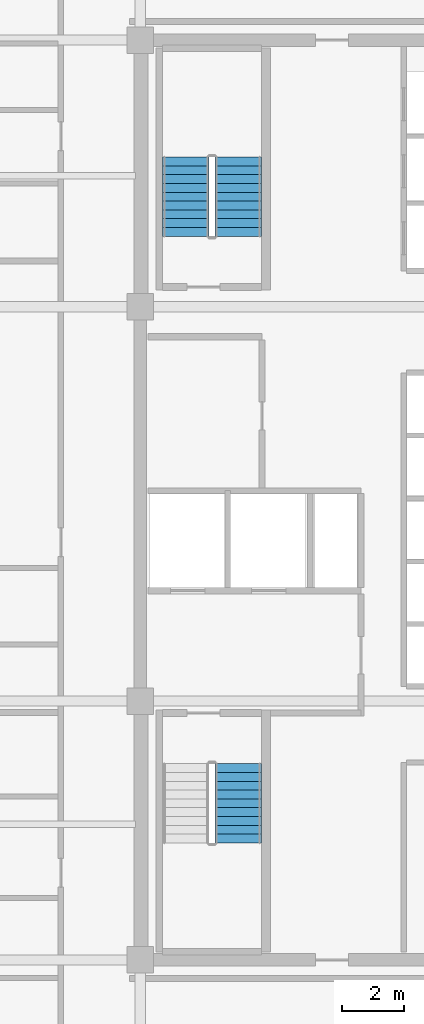
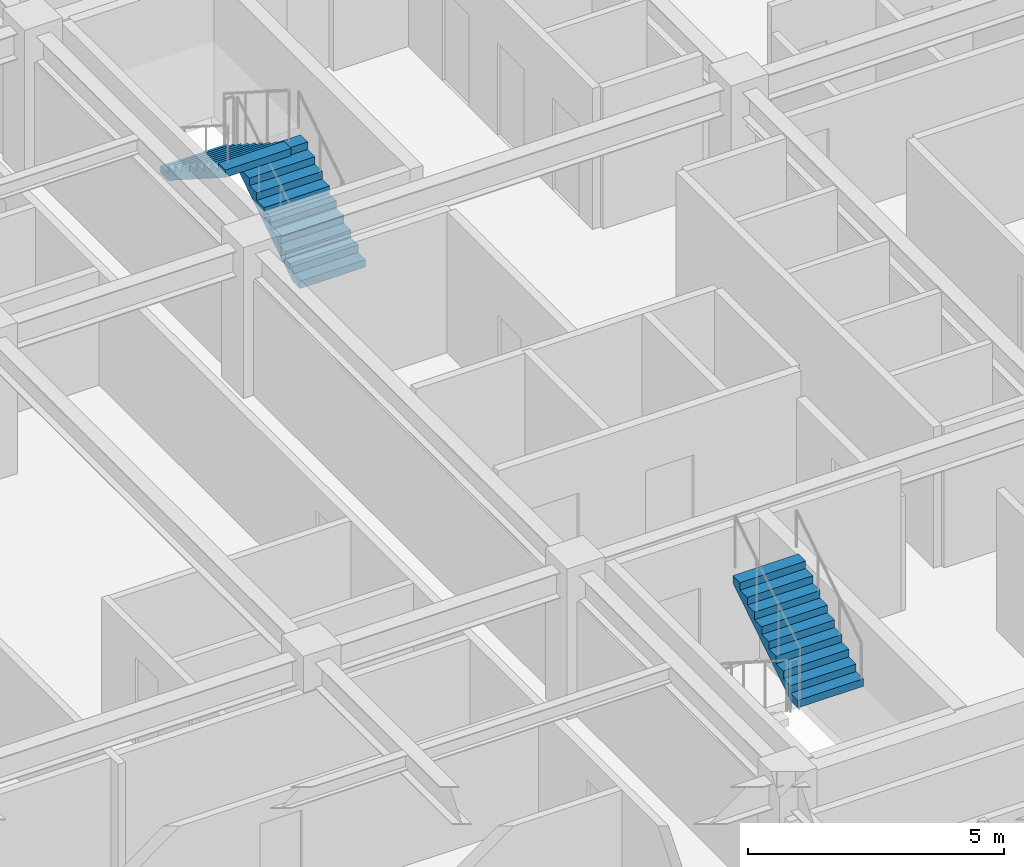
# One storey, part 8 of 9: 3 stair flights, 2 elements without a shape of their own.
"""IFC4 building model written with IfcOpenShell, lengths in metres."""

from ifc_helpers import new_model, si_unit, direction, frame, origin, place, context, subcontext, project, spatial, polyline, outline, extrude, material, type_object, element, aggregate, save


model = new_model("IFC4")

# Units and contexts
model_context = context("Model", 3, precision=1e-05, world=origin(), true_north=direction((0.0, 1.0)))
body_context = subcontext(model_context, "Body", "Model", "MODEL_VIEW")
ifc_project = project(units=[si_unit("LENGTHUNIT", "METRE"), si_unit("AREAUNIT", "SQUARE_METRE"), si_unit("VOLUMEUNIT", "CUBIC_METRE"), si_unit("PLANEANGLEUNIT", "RADIAN"), si_unit("MASSUNIT", "GRAM", prefix="KILO")], contexts=[model_context])

# Site, building, storey
site_placement = place(None, origin())
site = spatial("IfcSite", under=ifc_project, at=site_placement, CompositionType="ELEMENT")
building_placement = place(site_placement, origin())
building = spatial("IfcBuilding", under=site, at=building_placement, Name="Ochreholt Gables", CompositionType="ELEMENT")
storey_placement = place(building_placement, frame((0.0, 0.0, 106.199951171875)))
storey = spatial("IfcBuildingStorey", under=building, at=storey_placement, Name="L27", CompositionType="ELEMENT", Elevation=106.199951171875)

# Stair, stair flight
ifc_material = material(Name="Concrete 40 MPa", Category="concrete")
stair_type_1 = type_object("IfcStairType", Name="STAIR-CORE-ST-1", PredefinedType="HALF_TURN_STAIR", material=ifc_material)
stair_1_placement = place(storey_placement, origin())
stair_1 = element("IfcStair", 1, at=stair_1_placement, inside=storey, type_object=stair_type_1, Name="L27 Core Exit Stair 1", PredefinedType="HALF_TURN_STAIR")
stair_flight_type = type_object("IfcStairFlightType", Name="FLIGHT-ST-1480-1800", PredefinedType="STRAIGHT", material=ifc_material)
stair_flight_1_placement = place(storey_placement, frame((27.340087890625, 13.001953125, 1.800048828125), z_axis=(0.0, 0.0, 1.0), x_axis=(0.0, 1.0, 0.0)))
stair_flight_1 = element("IfcStairFlight", 2, at=stair_flight_1_placement, type_object=stair_flight_type, Name="ST-1 flight 2", NumberOfRisers=10, NumberOfTreads=9, PredefinedType="STRAIGHT", RiserHeight=0.18, TreadLength=0.282, context=body_context, shape_type="SweptSolid", body=[
    extrude(outline(polyline([(0.0, 0.0), (0.0, 0.179931640625), (0.281982421875, 0.179931640625), (0.281982421875, 0.360107421875), (0.56396484375, 0.360107421875), (0.56396484375, 0.5400390625), (0.845947265625, 0.5400390625), (0.845947265625, 0.719970703125), (1.1279296875, 0.719970703125), (1.1279296875, 0.89990234375), (1.409912109375, 0.89990234375), (1.409912109375, 1.080078125), (1.69189453125, 1.080078125), (1.69189453125, 1.260009765625), (1.97412109375, 1.260009765625), (1.97412109375, 1.43994140625), (2.256103515625, 1.43994140625), (2.256103515625, 1.6201171875), (2.5380859375, 1.6201171875), (2.5380859375, 1.800048828125), (2.5380859375, 1.442138671875), (0.278564453125, 0.0), (0.0, 0.0)])), frame((0.0, 0.739990234375, 0.0), z_axis=(0.0, -1.0, 0.0), x_axis=(1.0, 0.0, 0.0)), (0.0, 0.0, 1.0), 1.47998046875),
])
aggregate(stair_1, [stair_flight_1])

# Stair, stair flights
stair_type_2 = type_object("IfcStairType", Name="STAIR-CORE-ST-2", PredefinedType="HALF_TURN_STAIR", material=ifc_material)
stair_2_placement = place(storey_placement, origin())
stair_2 = element("IfcStair", 3, at=stair_2_placement, inside=storey, type_object=stair_type_2, Name="L27 Core Exit Stair 2", PredefinedType="HALF_TURN_STAIR")
stair_flight_2_placement = place(storey_placement, frame((27.340087890625, 32.4599609375, 0.0), z_axis=(0.0, 0.0, 1.0), x_axis=(0.0, 1.0, 0.0)))
stair_flight_2 = element("IfcStairFlight", 4, at=stair_flight_2_placement, type_object=stair_flight_type, Name="ST-2 flight 1", NumberOfRisers=10, NumberOfTreads=9, PredefinedType="STRAIGHT", RiserHeight=0.18, TreadLength=0.282, context=body_context, shape_type="SweptSolid", body=[
    extrude(outline(polyline([(0.0, 0.0), (0.0, 0.179931640625), (0.281982421875, 0.179931640625), (0.281982421875, 0.360107421875), (0.56396484375, 0.360107421875), (0.56396484375, 0.5400390625), (0.845947265625, 0.5400390625), (0.845947265625, 0.719970703125), (1.1279296875, 0.719970703125), (1.1279296875, 0.89990234375), (1.409912109375, 0.89990234375), (1.409912109375, 1.080078125), (1.69189453125, 1.080078125), (1.69189453125, 1.260009765625), (1.97412109375, 1.260009765625), (1.97412109375, 1.43994140625), (2.256103515625, 1.43994140625), (2.256103515625, 1.6201171875), (2.5380859375, 1.6201171875), (2.5380859375, 1.800048828125), (2.5380859375, 1.442138671875), (0.278564453125, 0.0), (0.0, 0.0)])), frame((0.0, 0.739990234375, 0.0), z_axis=(0.0, -1.0, 0.0), x_axis=(1.0, 0.0, 0.0)), (0.0, 0.0, 1.0), 1.47998046875),
])
stair_flight_3_placement = place(storey_placement, frame((25.659912109375, 34.998046875, 1.800048828125), z_axis=(0.0, 0.0, 1.0), x_axis=(0.0, -1.0, 0.0)))
stair_flight_3 = element("IfcStairFlight", 5, at=stair_flight_3_placement, type_object=stair_flight_type, Name="ST-2 flight 2", NumberOfRisers=10, NumberOfTreads=9, PredefinedType="STRAIGHT", RiserHeight=0.18, TreadLength=0.282, context=body_context, shape_type="SweptSolid", body=[
    extrude(outline(polyline([(0.0, 0.0), (0.0, 0.179931640625), (0.281982421875, 0.179931640625), (0.281982421875, 0.360107421875), (0.56396484375, 0.360107421875), (0.56396484375, 0.5400390625), (0.845947265625, 0.5400390625), (0.845947265625, 0.719970703125), (1.1279296875, 0.719970703125), (1.1279296875, 0.89990234375), (1.409912109375, 0.89990234375), (1.409912109375, 1.080078125), (1.69189453125, 1.080078125), (1.69189453125, 1.260009765625), (1.97412109375, 1.260009765625), (1.97412109375, 1.43994140625), (2.256103515625, 1.43994140625), (2.256103515625, 1.6201171875), (2.5380859375, 1.6201171875), (2.5380859375, 1.800048828125), (2.5380859375, 1.442138671875), (0.278564453125, 0.0), (0.0, 0.0)])), frame((0.0, 0.739990234375, 0.0), z_axis=(0.0, -1.0, 0.0), x_axis=(1.0, 0.0, 0.0)), (0.0, 0.0, 1.0), 1.47998046875),
])
aggregate(stair_2, [stair_flight_2, stair_flight_3])

save(model, "model.ifc")
